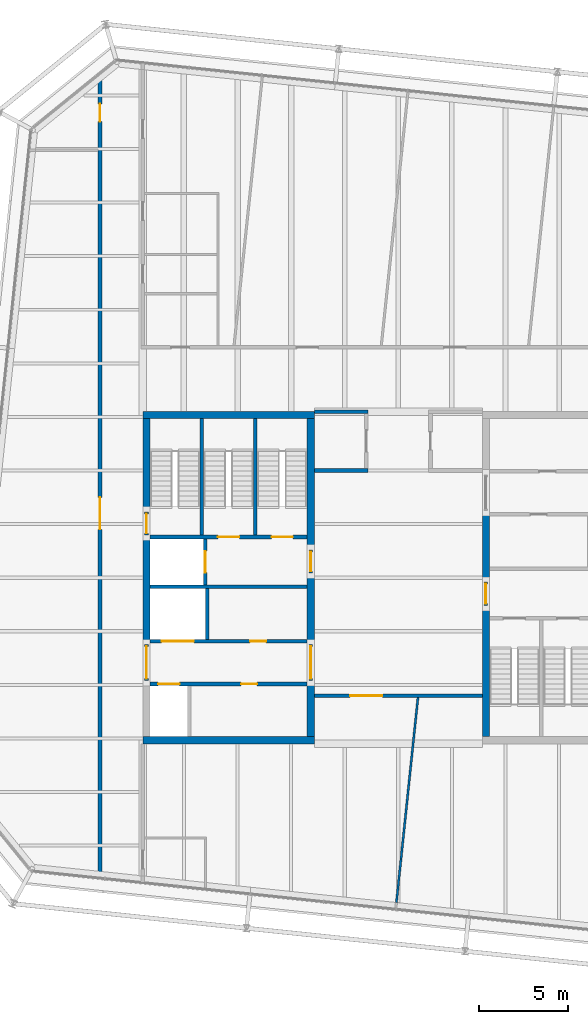
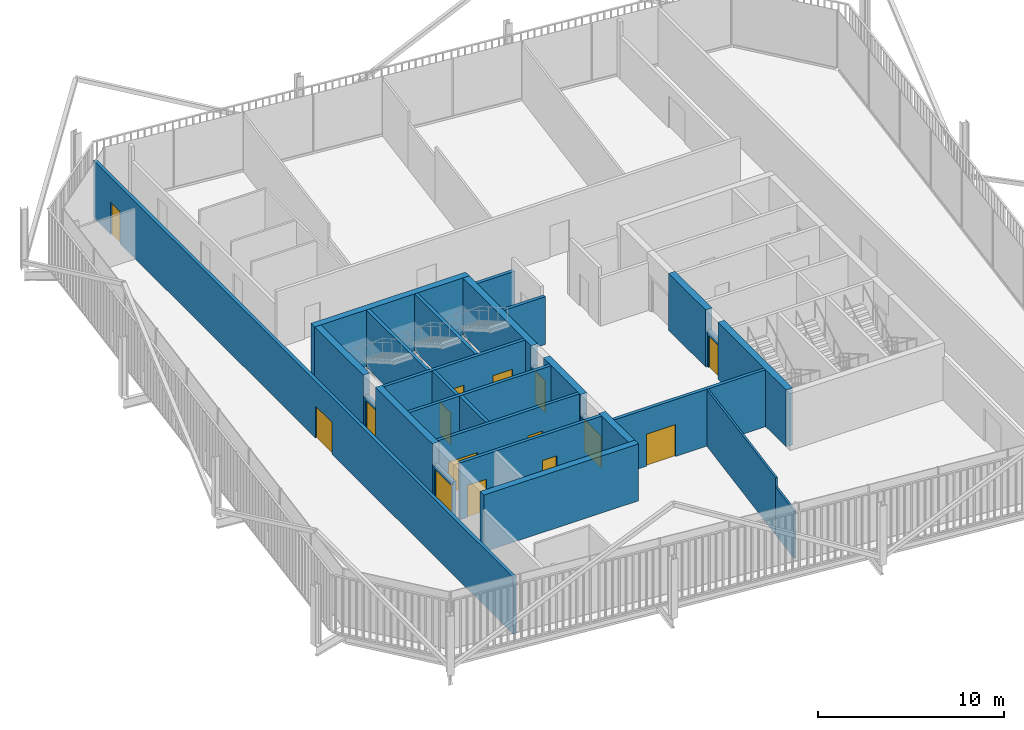
# One storey, part 17 of 21: 28 walls, 15 doors, 15 openings.
"""IFC4 building model written with IfcOpenShell, lengths in metres."""

from ifc_helpers import new_model, si_unit, direction, frame, frame_2d, origin, place, context, subcontext, project, spatial, rectangle, extrude, material, layer, layer_set, type_object, element, fill, save


model = new_model("IFC4")

# Units and contexts
model_context = context("Model", 3, precision=1e-05, world=origin(), true_north=direction((0.0, 1.0)))
body_context = subcontext(model_context, "Body", "Model", "MODEL_VIEW")
ifc_project = project(units=[si_unit("LENGTHUNIT", "METRE"), si_unit("AREAUNIT", "SQUARE_METRE"), si_unit("VOLUMEUNIT", "CUBIC_METRE"), si_unit("PLANEANGLEUNIT", "RADIAN"), si_unit("MASSUNIT", "GRAM", prefix="KILO")], contexts=[model_context])

# Site, building, storey
site_placement = place(None, origin())
site = spatial("IfcSite", under=ifc_project, at=site_placement, CompositionType="ELEMENT")
building_placement = place(site_placement, origin())
building = spatial("IfcBuilding", under=site, at=building_placement, Name="Millrace Tower", CompositionType="ELEMENT")
storey_placement = place(building_placement, frame((0.0, 0.0, 334.300048828125)))
storey = spatial("IfcBuildingStorey", under=building, at=storey_placement, Name="L77", CompositionType="ELEMENT", Elevation=334.300048828125)

# Walls
ifc_material_1 = material(Name="Concrete C60", Category="concrete")
ifc_layer_1 = layer(ifc_material_1, 0.39990234375)
ifc_layer_set_1 = layer_set([ifc_layer_1], Name="Concrete C60")
wall_type_1 = type_object("IfcWallType", Name="Core wall 400 Concrete C60", PredefinedType="SHEAR", material=ifc_layer_set_1)
for number, where, z_axis, x_axis, name in (
    (1, (-14.300048828125, -9.10009765625, 0.0), (0.0, 0.0, 1.0), (1.0, 0.0, 0.0), "Core wall W L77"),
    (2, (-14.300048828125, 9.10009765625, 0.0), (0.0, 0.0, 1.0), (1.0, 0.0, 0.0), "Core wall W L77"),
):
    element("IfcWall", number, at=place(storey_placement, frame(where, z_axis=z_axis, x_axis=x_axis)), inside=storey, type_object=wall_type_1, Name=name, PredefinedType="SHEAR", context=body_context, shape_type="SweptSolid", body=[
        extrude(rectangle(XDim=9.60009765625, YDim=0.39990234375, at=frame_2d((4.800048828125, 0.0))), origin(), (0.0, 0.0, 1.0), 3.739990234375),
    ])
wall_1_placement = place(storey_placement, frame((-14.10009765625, -3.75, 0.0), z_axis=(0.0, 0.0, 1.0), x_axis=(0.0, 1.0, 0.0)))
element("IfcWall", 3, at=wall_1_placement, inside=storey, type_object=wall_type_1, Name="Core wall W L77", PredefinedType="SHEAR", context=body_context, shape_type="SweptSolid", body=[
    extrude(rectangle(XDim=6.1298828125, YDim=0.39990234375, at=frame_2d((3.06494140625, 0.0))), origin(), (0.0, 0.0, 1.0), 3.739990234375),
])
wall_2_placement = place(storey_placement, frame((-14.10009765625, 3.679931640625, 0.0), z_axis=(0.0, 0.0, 1.0), x_axis=(0.0, 1.0, 0.0)))
element("IfcWall", 4, at=wall_2_placement, inside=storey, type_object=wall_type_1, Name="Core wall W L77", PredefinedType="SHEAR", context=body_context, shape_type="SweptSolid", body=[
    extrude(rectangle(XDim=5.219970703125, YDim=0.39990234375, at=frame_2d((2.60986328125, 0.0))), origin(), (0.0, 0.0, 1.0), 3.739990234375),
])
wall_3_placement = place(storey_placement, frame((-4.89990234375, -8.89990234375, 0.0), z_axis=(0.0, 0.0, 1.0), x_axis=(0.0, 1.0, 0.0)))
element("IfcWall", 5, at=wall_3_placement, inside=storey, type_object=wall_type_1, Name="Core wall W L77", PredefinedType="SHEAR", context=body_context, shape_type="SweptSolid", body=[
    extrude(rectangle(XDim=3.14990234375, YDim=0.39990234375, at=frame_2d((1.574951171875, 0.0))), origin(), (0.0, 0.0, 1.0), 3.739990234375),
])
wall_4_placement = place(storey_placement, frame((-4.89990234375, -3.75, 0.0), z_axis=(0.0, 0.0, 1.0), x_axis=(0.0, 1.0, 0.0)))
element("IfcWall", 6, at=wall_4_placement, inside=storey, type_object=wall_type_1, Name="Core wall W L77", PredefinedType="SHEAR", context=body_context, shape_type="SweptSolid", body=[
    extrude(rectangle(XDim=4.0, YDim=0.39990234375, at=frame_2d((2.0, 0.0))), origin(), (0.0, 0.0, 1.0), 3.739990234375),
])
wall_5_placement = place(storey_placement, frame((-4.89990234375, 1.550048828125, 0.0), z_axis=(0.0, 0.0, 1.0), x_axis=(0.0, 1.0, 0.0)))
element("IfcWall", 7, at=wall_5_placement, inside=storey, type_object=wall_type_1, Name="Core wall W L77", PredefinedType="SHEAR", context=body_context, shape_type="SweptSolid", body=[
    extrude(rectangle(XDim=7.349853515625, YDim=0.39990234375, at=frame_2d((3.6748046875, 0.0))), origin(), (0.0, 0.0, 1.0), 3.739990234375),
])
wall_6_placement = place(storey_placement, frame((4.89990234375, 3.75, 0.0), z_axis=(0.0, 0.0, 1.0), x_axis=(0.0, -1.0, 0.0)))
element("IfcWall", 8, at=wall_6_placement, inside=storey, type_object=wall_type_1, Name="Core wall E L77", PredefinedType="SHEAR", context=body_context, shape_type="SweptSolid", body=[
    extrude(rectangle(XDim=4.0, YDim=0.39990234375, at=frame_2d((2.0, 0.0))), origin(), (0.0, 0.0, 1.0), 3.739990234375),
])
wall_7_placement = place(storey_placement, frame((4.89990234375, -1.550048828125, 0.0), z_axis=(0.0, 0.0, 1.0), x_axis=(0.0, -1.0, 0.0)))
element("IfcWall", 9, at=wall_7_placement, inside=storey, type_object=wall_type_1, Name="Core wall E L77", PredefinedType="SHEAR", context=body_context, shape_type="SweptSolid", body=[
    extrude(rectangle(XDim=7.349853515625, YDim=0.39990234375, at=frame_2d((3.6748046875, 0.0))), origin(), (0.0, 0.0, 1.0), 3.739990234375),
])

# Wall, opening, door
ifc_material_2 = material(Name="Masonry partition, fire-rated", Category="masonry")
ifc_layer_2 = layer(ifc_material_2, 0.199951171875)
ifc_layer_set_2 = layer_set([ifc_layer_2], Name="Masonry partition, fire-rated")
wall_type_2 = type_object("IfcWallType", Name="Corridor wall 200", PredefinedType="PARTITIONING", material=ifc_layer_set_2)
wall_8_placement = place(storey_placement, frame((-4.699951171875, -6.60009765625, 0.0), z_axis=(0.0, 0.0, 1.0), x_axis=(1.0, 0.0, 0.0)))
wall_8 = element("IfcWall", 10, at=wall_8_placement, inside=storey, type_object=wall_type_2, Name="Corridor wall L77", PredefinedType="PARTITIONING", context=body_context, shape_type="SweptSolid", body=[
    extrude(rectangle(XDim=9.39990234375, YDim=0.199951171875, at=frame_2d((4.699951171875, 0.0))), origin(), (0.0, 0.0, 1.0), 3.739990234375),
])
opening_1_placement = place(wall_8_placement, frame((2.0048828125, 0.0, 0.0)))
opening_1 = element("IfcOpeningElement", 11, at=opening_1_placement, cuts=wall_8, Name="Opening 77-P013", PredefinedType="OPENING", context=body_context, shape_type="SweptSolid", body=[
    extrude(rectangle(XDim=1.800048828125, YDim=2.10009765625, at=frame_2d((0.89990234375, 1.050048828125))), frame((0.0, 0.10986328125, 0.0), z_axis=(0.0, -1.0, 0.0), x_axis=(1.0, 0.0, 0.0)), (0.0, 0.0, 1.0), 0.219970703125),
])
ifc_material_3 = material(Name="Steel door set, fire-rated", Category="steel")
door_type_1 = type_object("IfcDoorType", Name="Corridor door 1800 x 2100", OperationType="DOUBLE_DOOR_SINGLE_SWING", PredefinedType="DOOR", material=ifc_material_3)
door_1_placement = place(opening_1_placement, frame((1.800048828125, 0.0, 0.0), z_axis=(0.0, 0.0, 1.0), x_axis=(-1.0, 0.0, 0.0)))
door_1 = element("IfcDoor", 12, at=door_1_placement, inside=storey, type_object=door_type_1, Name="Door 77-P013", OperationType="DOUBLE_DOOR_SINGLE_SWING", OverallHeight=2.10009765625, OverallWidth=1.800048828125, PredefinedType="DOOR", context=body_context, shape_type="SweptSolid", body=[
    extrude(rectangle(XDim=1.800048828125, YDim=2.10009765625, at=frame_2d((0.89990234375, 1.050048828125))), frame((0.0, 0.02490234375, 0.0), z_axis=(0.0, -1.0, 0.0), x_axis=(1.0, 0.0, 0.0)), (0.0, 0.0, 1.0), 0.050048828125),
])
fill(opening_1, door_1)

# Walls
wall_9_placement = place(storey_placement, frame((-4.699951171875, 6.0, 0.0), z_axis=(0.0, 0.0, 1.0), x_axis=(1.0, 0.0, 0.0)))
element("IfcWall", 13, at=wall_9_placement, inside=storey, type_object=wall_type_2, Name="Corridor wall L77", PredefinedType="PARTITIONING", context=body_context, shape_type="SweptSolid", body=[
    extrude(rectangle(XDim=3.0, YDim=0.199951171875, at=frame_2d((1.5, 0.0))), origin(), (0.0, 0.0, 1.0), 3.140625),
])
wall_10_placement = place(storey_placement, frame((-4.699951171875, 9.300048828125, 0.0), z_axis=(0.0, 0.0, 1.0), x_axis=(1.0, 0.0, 0.0)))
element("IfcWall", 14, at=wall_10_placement, inside=storey, type_object=wall_type_2, Name="Corridor wall L77", PredefinedType="PARTITIONING", context=body_context, shape_type="SweptSolid", body=[
    extrude(rectangle(XDim=3.0, YDim=0.199951171875, at=frame_2d((1.5, 0.0))), origin(), (0.0, 0.0, 1.0), 2.812744140625),
])

# Wall, openings, doors
wall_11_placement = place(storey_placement, frame((-16.699951171875, -16.779296875, 0.0), z_axis=(0.0, 0.0, 1.0), x_axis=(0.0, 1.0, 0.0)))
wall_11 = element("IfcWall", 15, at=wall_11_placement, inside=storey, type_object=wall_type_2, Name="Corridor wall L77", PredefinedType="PARTITIONING", context=body_context, shape_type="SweptSolid", body=[
    extrude(rectangle(XDim=45.16943359375, YDim=0.199951171875, at=frame_2d((22.584716796875, 0.0))), origin(), (0.0, 0.0, 1.0), 3.739990234375),
])
opening_2_placement = place(wall_11_placement, frame((19.477783203125, 0.0, 0.0)))
opening_2 = element("IfcOpeningElement", 16, at=opening_2_placement, cuts=wall_11, Name="Opening 77-P003", PredefinedType="OPENING", context=body_context, shape_type="SweptSolid", body=[
    extrude(rectangle(XDim=1.800048828125, YDim=2.10009765625, at=frame_2d((0.89990234375, 1.050048828125))), frame((0.0, 0.10986328125, 0.0), z_axis=(0.0, -1.0, 0.0), x_axis=(1.0, 0.0, 0.0)), (0.0, 0.0, 1.0), 0.219970703125),
])
opening_3_placement = place(wall_11_placement, frame((42.30517578125, 0.0, 0.0)))
opening_3 = element("IfcOpeningElement", 17, at=opening_3_placement, cuts=wall_11, Name="Opening 77-P004", PredefinedType="OPENING", context=body_context, shape_type="SweptSolid", body=[
    extrude(rectangle(XDim=1.0, YDim=2.10009765625, at=frame_2d((0.5, 1.050048828125))), frame((0.0, 0.10986328125, 0.0), z_axis=(0.0, -1.0, 0.0), x_axis=(1.0, 0.0, 0.0)), (0.0, 0.0, 1.0), 0.219970703125),
])
ifc_material_4 = material(Name="Steel door set, fire-rated", Category="steel")
door_type_2 = type_object("IfcDoorType", Name="Corridor door 1000 x 2100", OperationType="SINGLE_SWING_LEFT", PredefinedType="DOOR", material=ifc_material_4)
door_2_placement = place(opening_3_placement, origin())
door_2 = element("IfcDoor", 18, at=door_2_placement, inside=storey, type_object=door_type_2, Name="Door 77-P004", OperationType="SINGLE_SWING_RIGHT", OverallHeight=2.10009765625, OverallWidth=1.0, PredefinedType="DOOR", context=body_context, shape_type="SweptSolid", body=[
    extrude(rectangle(XDim=1.0, YDim=2.10009765625, at=frame_2d((0.5, 1.050048828125))), frame((0.0, 0.02490234375, 0.0), z_axis=(0.0, -1.0, 0.0), x_axis=(1.0, 0.0, 0.0)), (0.0, 0.0, 1.0), 0.050048828125),
])
fill(opening_3, door_2)
door_3_placement = place(opening_2_placement, frame((1.800048828125, 0.0, 0.0), z_axis=(0.0, 0.0, 1.0), x_axis=(-1.0, 0.0, 0.0)))
door_3 = element("IfcDoor", 19, at=door_3_placement, inside=storey, type_object=door_type_1, Name="Door 77-P003", OperationType="DOUBLE_DOOR_SINGLE_SWING", OverallHeight=2.10009765625, OverallWidth=1.800048828125, PredefinedType="DOOR", context=body_context, shape_type="SweptSolid", body=[
    extrude(rectangle(XDim=1.800048828125, YDim=2.10009765625, at=frame_2d((0.89990234375, 1.050048828125))), frame((0.0, 0.02490234375, 0.0), z_axis=(0.0, -1.0, 0.0), x_axis=(1.0, 0.0, 0.0)), (0.0, 0.0, 1.0), 0.050048828125),
])
fill(opening_2, door_3)

ifc_material_5 = material(Name="Masonry partition, fire-rated", Category="masonry")
ifc_layer_3 = layer(ifc_material_5, 0.199951171875)
ifc_layer_set_3 = layer_set([ifc_layer_3], Name="Masonry partition, fire-rated")
wall_type_3 = type_object("IfcWallType", Name="Lift shaft wall 200", PredefinedType="PARTITIONING", material=ifc_layer_set_3)
wall_12_placement = place(storey_placement, frame((-13.89990234375, -5.949951171875, 0.0), z_axis=(0.0, 0.0, 1.0), x_axis=(1.0, 0.0, 0.0)))
wall_12 = element("IfcWall", 20, at=wall_12_placement, inside=storey, type_object=wall_type_3, Name="Lift shaft wall W L77", PredefinedType="PARTITIONING", context=body_context, shape_type="SweptSolid", body=[
    extrude(rectangle(XDim=8.7998046875, YDim=0.199951171875, at=frame_2d((4.39990234375, 0.0))), origin(), (0.0, 0.0, 1.0), 3.739990234375),
])
opening_4_placement = place(wall_12_placement, frame((0.449951171875, 0.0, 0.0)))
opening_4 = element("IfcOpeningElement", 21, at=opening_4_placement, cuts=wall_12, Name="Opening 77-LD01", PredefinedType="OPENING", context=body_context, shape_type="SweptSolid", body=[
    extrude(rectangle(XDim=1.199951171875, YDim=2.10009765625, at=frame_2d((0.60009765625, 1.050048828125))), frame((0.0, 0.10986328125, 0.0), z_axis=(0.0, -1.0, 0.0), x_axis=(1.0, 0.0, 0.0)), (0.0, 0.0, 1.0), 0.219970703125),
])
opening_5_placement = place(wall_12_placement, frame((5.10009765625, 0.0, 0.0)))
opening_5 = element("IfcOpeningElement", 22, at=opening_5_placement, cuts=wall_12, Name="Opening 77-C005", PredefinedType="OPENING", context=body_context, shape_type="SweptSolid", body=[
    extrude(rectangle(XDim=0.89990234375, YDim=2.10009765625, at=frame_2d((0.449951171875, 1.050048828125))), frame((0.0, 0.10986328125, 0.0), z_axis=(0.0, -1.0, 0.0), x_axis=(1.0, 0.0, 0.0)), (0.0, 0.0, 1.0), 0.219970703125),
])
ifc_material_6 = material(Name="Stainless steel, fire-rated", Category="steel")
door_type_3 = type_object("IfcDoorType", Name="Lift landing door 1200 x 2100", OperationType="DOUBLE_DOOR_SLIDING", PredefinedType="DOOR", material=ifc_material_6)
door_4_placement = place(opening_4_placement, origin())
door_4 = element("IfcDoor", 23, at=door_4_placement, inside=storey, type_object=door_type_3, Name="Lift landing door LF1 L77", OperationType="DOUBLE_DOOR_SLIDING", OverallHeight=2.10009765625, OverallWidth=1.199951171875, PredefinedType="DOOR", context=body_context, shape_type="SweptSolid", body=[
    extrude(rectangle(XDim=1.199951171875, YDim=2.10009765625, at=frame_2d((0.60009765625, 1.050048828125))), frame((0.0, 0.02490234375, 0.0), z_axis=(0.0, -1.0, 0.0), x_axis=(1.0, 0.0, 0.0)), (0.0, 0.0, 1.0), 0.050048828125),
])
fill(opening_4, door_4)
ifc_material_7 = material(Name="Steel door, fire-rated", Category="steel")
door_type_4 = type_object("IfcDoorType", Name="Service room door 900 x 2100", OperationType="SINGLE_SWING_LEFT", PredefinedType="DOOR", material=ifc_material_7)
door_5_placement = place(opening_5_placement, frame((0.89990234375, 0.0, 0.0), z_axis=(0.0, 0.0, 1.0), x_axis=(-1.0, 0.0, 0.0)))
door_5 = element("IfcDoor", 24, at=door_5_placement, inside=storey, type_object=door_type_4, Name="Service room door 77-C005", OperationType="SINGLE_SWING_LEFT", OverallHeight=2.10009765625, OverallWidth=0.89990234375, PredefinedType="DOOR", context=body_context, shape_type="SweptSolid", body=[
    extrude(rectangle(XDim=0.89990234375, YDim=2.10009765625, at=frame_2d((0.449951171875, 1.050048828125))), frame((0.0, 0.02490234375, 0.0), z_axis=(0.0, -1.0, 0.0), x_axis=(1.0, 0.0, 0.0)), (0.0, 0.0, 1.0), 0.050048828125),
])
fill(opening_5, door_5)

wall_13_placement = place(storey_placement, frame((-13.89990234375, -3.550048828125, 0.0), z_axis=(0.0, 0.0, 1.0), x_axis=(1.0, 0.0, 0.0)))
wall_13 = element("IfcWall", 25, at=wall_13_placement, inside=storey, type_object=wall_type_3, Name="Lift shaft wall W L77", PredefinedType="PARTITIONING", context=body_context, shape_type="SweptSolid", body=[
    extrude(rectangle(XDim=8.7998046875, YDim=0.199951171875, at=frame_2d((4.39990234375, 0.0))), origin(), (0.0, 0.0, 1.0), 3.739990234375),
])
opening_6_placement = place(wall_13_placement, frame((0.64990234375, 0.0, 0.0)))
opening_6 = element("IfcOpeningElement", 26, at=opening_6_placement, cuts=wall_13, Name="Opening 77-LD05", PredefinedType="OPENING", context=body_context, shape_type="SweptSolid", body=[
    extrude(rectangle(XDim=1.800048828125, YDim=2.10009765625, at=frame_2d((0.89990234375, 1.050048828125))), frame((0.0, 0.10986328125, 0.0), z_axis=(0.0, -1.0, 0.0), x_axis=(1.0, 0.0, 0.0)), (0.0, 0.0, 1.0), 0.219970703125),
])
opening_7_placement = place(wall_13_placement, frame((5.60009765625, 0.0, 0.0)))
opening_7 = element("IfcOpeningElement", 27, at=opening_7_placement, cuts=wall_13, Name="Opening 77-C006", PredefinedType="OPENING", context=body_context, shape_type="SweptSolid", body=[
    extrude(rectangle(XDim=0.89990234375, YDim=2.10009765625, at=frame_2d((0.449951171875, 1.050048828125))), frame((0.0, 0.10986328125, 0.0), z_axis=(0.0, -1.0, 0.0), x_axis=(1.0, 0.0, 0.0)), (0.0, 0.0, 1.0), 0.219970703125),
])
ifc_material_8 = material(Name="Stainless steel, fire-rated", Category="steel")
door_type_5 = type_object("IfcDoorType", Name="Lift landing door 1800 x 2100", OperationType="DOUBLE_DOOR_SLIDING", PredefinedType="DOOR", material=ifc_material_8)
door_6_placement = place(opening_6_placement, origin())
door_6 = element("IfcDoor", 28, at=door_6_placement, inside=storey, type_object=door_type_5, Name="Lift landing door LF5 L77", OperationType="DOUBLE_DOOR_SLIDING", OverallHeight=2.10009765625, OverallWidth=1.800048828125, PredefinedType="DOOR", context=body_context, shape_type="SweptSolid", body=[
    extrude(rectangle(XDim=1.800048828125, YDim=2.10009765625, at=frame_2d((0.89990234375, 1.050048828125))), frame((0.0, 0.02490234375, 0.0), z_axis=(0.0, -1.0, 0.0), x_axis=(1.0, 0.0, 0.0)), (0.0, 0.0, 1.0), 0.050048828125),
])
fill(opening_6, door_6)
door_7_placement = place(opening_7_placement, origin())
door_7 = element("IfcDoor", 29, at=door_7_placement, inside=storey, type_object=door_type_4, Name="Service room door 77-C006", OperationType="SINGLE_SWING_RIGHT", OverallHeight=2.10009765625, OverallWidth=0.89990234375, PredefinedType="DOOR", context=body_context, shape_type="SweptSolid", body=[
    extrude(rectangle(XDim=0.89990234375, YDim=2.10009765625, at=frame_2d((0.449951171875, 1.050048828125))), frame((0.0, 0.02490234375, 0.0), z_axis=(0.0, -1.0, 0.0), x_axis=(1.0, 0.0, 0.0)), (0.0, 0.0, 1.0), 0.050048828125),
])
fill(opening_7, door_7)

# Wall
wall_14_placement = place(storey_placement, frame((-13.89990234375, -0.5, 0.0), z_axis=(0.0, 0.0, 1.0), x_axis=(1.0, 0.0, 0.0)))
element("IfcWall", 30, at=wall_14_placement, inside=storey, type_object=wall_type_3, Name="Lift shaft wall W L77", PredefinedType="PARTITIONING", context=body_context, shape_type="SweptSolid", body=[
    extrude(rectangle(XDim=8.7998046875, YDim=0.199951171875, at=frame_2d((4.39990234375, 0.0))), origin(), (0.0, 0.0, 1.0), 3.739990234375),
])

# Wall, opening, door
wall_15_placement = place(storey_placement, frame((-10.800048828125, -0.39990234375, 0.0), z_axis=(0.0, 0.0, 1.0), x_axis=(0.0, 1.0, 0.0)))
wall_15 = element("IfcWall", 31, at=wall_15_placement, inside=storey, type_object=wall_type_3, Name="Lift shaft wall W L77", PredefinedType="PARTITIONING", context=body_context, shape_type="SweptSolid", body=[
    extrude(rectangle(XDim=2.579833984375, YDim=0.199951171875, at=frame_2d((1.2900390625, 0.0))), origin(), (0.0, 0.0, 1.0), 3.739990234375),
])
opening_8_placement = place(wall_15_placement, frame((0.68994140625, 0.0, 0.0)))
opening_8 = element("IfcOpeningElement", 32, at=opening_8_placement, cuts=wall_15, Name="Opening 77-LD08", PredefinedType="OPENING", context=body_context, shape_type="SweptSolid", body=[
    extrude(rectangle(XDim=1.199951171875, YDim=2.10009765625, at=frame_2d((0.60009765625, 1.050048828125))), frame((0.0, 0.10986328125, 0.0), z_axis=(0.0, -1.0, 0.0), x_axis=(1.0, 0.0, 0.0)), (0.0, 0.0, 1.0), 0.219970703125),
])
door_8_placement = place(opening_8_placement, origin())
door_8 = element("IfcDoor", 33, at=door_8_placement, inside=storey, type_object=door_type_3, Name="Lift landing door LF8 L77", OperationType="DOUBLE_DOOR_SLIDING", OverallHeight=2.10009765625, OverallWidth=1.199951171875, PredefinedType="DOOR", context=body_context, shape_type="SweptSolid", body=[
    extrude(rectangle(XDim=1.199951171875, YDim=2.10009765625, at=frame_2d((0.60009765625, 1.050048828125))), frame((0.0, 0.02490234375, 0.0), z_axis=(0.0, -1.0, 0.0), x_axis=(1.0, 0.0, 0.0)), (0.0, 0.0, 1.0), 0.050048828125),
])
fill(opening_8, door_8)

# Wall
wall_16_placement = place(storey_placement, frame((-10.699951171875, -3.449951171875, 0.0), z_axis=(0.0, 0.0, 1.0), x_axis=(0.0, 1.0, 0.0)))
element("IfcWall", 34, at=wall_16_placement, inside=storey, type_object=wall_type_3, Name="Lift shaft wall W L77", PredefinedType="PARTITIONING", context=body_context, shape_type="SweptSolid", body=[
    extrude(rectangle(XDim=2.849853515625, YDim=0.199951171875, at=frame_2d((1.4248046875, 0.0))), origin(), (0.0, 0.0, 1.0), 3.739990234375),
])

# Wall, opening, door
ifc_material_9 = material(Name="Masonry partition, fire-rated", Category="masonry")
ifc_layer_4 = layer(ifc_material_9, 0.199951171875)
ifc_layer_set_4 = layer_set([ifc_layer_4], Name="Masonry partition, fire-rated")
wall_type_4 = type_object("IfcWallType", Name="Lobby wall 200", PredefinedType="PARTITIONING", material=ifc_layer_set_4)
wall_17_placement = place(storey_placement, frame((-14.10009765625, -5.75, 0.0), z_axis=(0.0, 0.0, 1.0), x_axis=(0.0, 1.0, 0.0)))
wall_17 = element("IfcWall", 35, at=wall_17_placement, inside=storey, type_object=wall_type_4, Name="Lobby wall W L77", PredefinedType="PARTITIONING", context=body_context, shape_type="SweptSolid", body=[
    extrude(rectangle(XDim=2.0, YDim=0.199951171875, at=frame_2d((1.0, 0.0))), origin(), (0.0, 0.0, 1.0), 2.39990234375),
])
opening_9_placement = place(wall_17_placement, frame((0.10009765625, 0.0, 0.0)))
opening_9 = element("IfcOpeningElement", 36, at=opening_9_placement, cuts=wall_17, Name="Opening 77-C001", PredefinedType="OPENING", context=body_context, shape_type="SweptSolid", body=[
    extrude(rectangle(XDim=1.800048828125, YDim=2.10009765625, at=frame_2d((0.89990234375, 1.050048828125))), frame((0.0, 0.10986328125, 0.0), z_axis=(0.0, -1.0, 0.0), x_axis=(1.0, 0.0, 0.0)), (0.0, 0.0, 1.0), 0.219970703125),
])
ifc_material_10 = material(Name="Steel door, fire-rated", Category="steel")
door_type_6 = type_object("IfcDoorType", Name="Lobby door 1800 x 2100", OperationType="DOUBLE_DOOR_SINGLE_SWING", PredefinedType="DOOR", material=ifc_material_10)
door_9_placement = place(opening_9_placement, origin())
door_9 = element("IfcDoor", 37, at=door_9_placement, inside=storey, type_object=door_type_6, Name="Lobby door 77-C001", OperationType="DOUBLE_DOOR_SINGLE_SWING", OverallHeight=2.10009765625, OverallWidth=1.800048828125, PredefinedType="DOOR", context=body_context, shape_type="SweptSolid", body=[
    extrude(rectangle(XDim=1.800048828125, YDim=2.10009765625, at=frame_2d((0.89990234375, 1.050048828125))), frame((0.0, 0.02490234375, 0.0), z_axis=(0.0, -1.0, 0.0), x_axis=(1.0, 0.0, 0.0)), (0.0, 0.0, 1.0), 0.050048828125),
])
fill(opening_9, door_9)

wall_18_placement = place(storey_placement, frame((-4.89990234375, -5.75, 0.0), z_axis=(0.0, 0.0, 1.0), x_axis=(0.0, 1.0, 0.0)))
wall_18 = element("IfcWall", 38, at=wall_18_placement, inside=storey, type_object=wall_type_4, Name="Lobby wall W L77", PredefinedType="PARTITIONING", context=body_context, shape_type="SweptSolid", body=[
    extrude(rectangle(XDim=2.0, YDim=0.199951171875, at=frame_2d((1.0, 0.0))), origin(), (0.0, 0.0, 1.0), 2.39990234375),
])
opening_10_placement = place(wall_18_placement, frame((0.10009765625, 0.0, 0.0)))
opening_10 = element("IfcOpeningElement", 39, at=opening_10_placement, cuts=wall_18, Name="Opening 77-C003", PredefinedType="OPENING", context=body_context, shape_type="SweptSolid", body=[
    extrude(rectangle(XDim=1.800048828125, YDim=2.10009765625, at=frame_2d((0.89990234375, 1.050048828125))), frame((0.0, 0.10986328125, 0.0), z_axis=(0.0, -1.0, 0.0), x_axis=(1.0, 0.0, 0.0)), (0.0, 0.0, 1.0), 0.219970703125),
])
door_10_placement = place(opening_10_placement, frame((1.800048828125, 0.0, 0.0), z_axis=(0.0, 0.0, 1.0), x_axis=(-1.0, 0.0, 0.0)))
door_10 = element("IfcDoor", 40, at=door_10_placement, inside=storey, type_object=door_type_6, Name="Lobby door 77-C003", OperationType="DOUBLE_DOOR_SINGLE_SWING", OverallHeight=2.10009765625, OverallWidth=1.800048828125, PredefinedType="DOOR", context=body_context, shape_type="SweptSolid", body=[
    extrude(rectangle(XDim=1.800048828125, YDim=2.10009765625, at=frame_2d((0.89990234375, 1.050048828125))), frame((0.0, 0.02490234375, 0.0), z_axis=(0.0, -1.0, 0.0), x_axis=(1.0, 0.0, 0.0)), (0.0, 0.0, 1.0), 0.050048828125),
])
fill(opening_10, door_10)

wall_19_placement = place(storey_placement, frame((-4.89990234375, 0.25, 0.0), z_axis=(0.0, 0.0, 1.0), x_axis=(0.0, 1.0, 0.0)))
wall_19 = element("IfcWall", 41, at=wall_19_placement, inside=storey, type_object=wall_type_4, Name="Lobby wall W L77", PredefinedType="PARTITIONING", context=body_context, shape_type="SweptSolid", body=[
    extrude(rectangle(XDim=1.300048828125, YDim=0.199951171875, at=frame_2d((0.64990234375, 0.0))), origin(), (0.0, 0.0, 1.0), 2.39990234375),
])
opening_11_placement = place(wall_19_placement, frame((0.10009765625, 0.0, 0.0)))
opening_11 = element("IfcOpeningElement", 42, at=opening_11_placement, cuts=wall_19, Name="Opening 77-C004", PredefinedType="OPENING", context=body_context, shape_type="SweptSolid", body=[
    extrude(rectangle(XDim=1.10009765625, YDim=2.10009765625, at=frame_2d((0.550048828125, 1.050048828125))), frame((0.0, 0.10986328125, 0.0), z_axis=(0.0, -1.0, 0.0), x_axis=(1.0, 0.0, 0.0)), (0.0, 0.0, 1.0), 0.219970703125),
])
ifc_material_11 = material(Name="Steel door, fire-rated", Category="steel")
door_type_7 = type_object("IfcDoorType", Name="Lobby door 1100 x 2100", OperationType="SINGLE_SWING_LEFT", PredefinedType="DOOR", material=ifc_material_11)
door_11_placement = place(opening_11_placement, frame((1.10009765625, 0.0, 0.0), z_axis=(0.0, 0.0, 1.0), x_axis=(-1.0, 0.0, 0.0)))
door_11 = element("IfcDoor", 43, at=door_11_placement, inside=storey, type_object=door_type_7, Name="Lobby door 77-C004", OperationType="SINGLE_SWING_LEFT", OverallHeight=2.10009765625, OverallWidth=1.10009765625, PredefinedType="DOOR", context=body_context, shape_type="SweptSolid", body=[
    extrude(rectangle(XDim=1.10009765625, YDim=2.10009765625, at=frame_2d((0.550048828125, 1.050048828125))), frame((0.0, 0.02490234375, 0.0), z_axis=(0.0, -1.0, 0.0), x_axis=(1.0, 0.0, 0.0)), (0.0, 0.0, 1.0), 0.050048828125),
])
fill(opening_11, door_11)

wall_20_placement = place(storey_placement, frame((4.89990234375, -0.25, 0.0), z_axis=(0.0, 0.0, 1.0), x_axis=(0.0, -1.0, 0.0)))
wall_20 = element("IfcWall", 44, at=wall_20_placement, inside=storey, type_object=wall_type_4, Name="Lobby wall E L77", PredefinedType="PARTITIONING", context=body_context, shape_type="SweptSolid", body=[
    extrude(rectangle(XDim=1.300048828125, YDim=0.199951171875, at=frame_2d((0.64990234375, 0.0))), origin(), (0.0, 0.0, 1.0), 2.39990234375),
])
opening_12_placement = place(wall_20_placement, frame((0.10009765625, 0.0, 0.0)))
opening_12 = element("IfcOpeningElement", 45, at=opening_12_placement, cuts=wall_20, Name="Opening 77-C012", PredefinedType="OPENING", context=body_context, shape_type="SweptSolid", body=[
    extrude(rectangle(XDim=1.10009765625, YDim=2.10009765625, at=frame_2d((0.550048828125, 1.050048828125))), frame((0.0, 0.10986328125, 0.0), z_axis=(0.0, -1.0, 0.0), x_axis=(1.0, 0.0, 0.0)), (0.0, 0.0, 1.0), 0.219970703125),
])
door_12_placement = place(opening_12_placement, frame((1.10009765625, 0.0, 0.0), z_axis=(0.0, 0.0, 1.0), x_axis=(-1.0, 0.0, 0.0)))
door_12 = element("IfcDoor", 46, at=door_12_placement, inside=storey, type_object=door_type_7, Name="Lobby door 77-C012", OperationType="SINGLE_SWING_RIGHT", OverallHeight=2.10009765625, OverallWidth=1.10009765625, PredefinedType="DOOR", context=body_context, shape_type="SweptSolid", body=[
    extrude(rectangle(XDim=1.10009765625, YDim=2.10009765625, at=frame_2d((0.550048828125, 1.050048828125))), frame((0.0, 0.02490234375, 0.0), z_axis=(0.0, -1.0, 0.0), x_axis=(1.0, 0.0, 0.0)), (0.0, 0.0, 1.0), 0.050048828125),
])
fill(opening_12, door_12)

# Walls
ifc_material_12 = material(Name="Gypsum board partition")
ifc_layer_5 = layer(ifc_material_12, 0.1201171875)
ifc_layer_set_5 = layer_set([ifc_layer_5], Name="Gypsum board partition")
wall_type_5 = type_object("IfcWallType", Name="Partition wall 120", PredefinedType="PARTITIONING", material=ifc_layer_set_5)
wall_21_placement = place(storey_placement, frame((-0.10791015625, -18.193359375, 0.0), z_axis=(0.0, 0.0, 1.0), x_axis=(0.104462304408, 0.99452884672, 0.0)))
element("IfcWall", 47, at=wall_21_placement, inside=storey, type_object=wall_type_5, Name="Partition wall L77", PredefinedType="PARTITIONING", context=body_context, shape_type="SweptSolid", body=[
    extrude(rectangle(XDim=2.456298828125, YDim=0.1201171875, at=frame_2d((1.22802734375, 0.0))), origin(), (0.0, 0.0, 1.0), 3.140625),
])
wall_22_placement = place(storey_placement, frame((0.148681640625, -15.75048828125, 0.0), z_axis=(0.0, 0.0, 1.0), x_axis=(0.104487885815, 0.994526159393, 0.0)))
element("IfcWall", 48, at=wall_22_placement, inside=storey, type_object=wall_type_5, Name="Partition wall L77", PredefinedType="PARTITIONING", context=body_context, shape_type="SweptSolid", body=[
    extrude(rectangle(XDim=9.100830078125, YDim=0.1201171875, at=frame_2d((4.55029296875, 0.0))), origin(), (0.0, 0.0, 1.0), 3.739990234375),
])

# Wall, opening, door
ifc_material_13 = material(Name="Concrete C40", Category="concrete")
ifc_layer_6 = layer(ifc_material_13, 0.199951171875)
ifc_layer_set_6 = layer_set([ifc_layer_6], Name="Concrete C40")
wall_type_6 = type_object("IfcWallType", Name="Stair enclosure wall 200 Concrete C40", PredefinedType="SHEAR", material=ifc_layer_set_6)
wall_23_placement = place(storey_placement, frame((-14.10009765625, 2.3798828125, 0.0), z_axis=(0.0, 0.0, 1.0), x_axis=(0.0, 1.0, 0.0)))
wall_23 = element("IfcWall", 49, at=wall_23_placement, inside=storey, type_object=wall_type_6, Name="Stair enclosure wall W L77", PredefinedType="SHEAR", context=body_context, shape_type="SweptSolid", body=[
    extrude(rectangle(XDim=1.300048828125, YDim=0.199951171875, at=frame_2d((0.64990234375, 0.0))), origin(), (0.0, 0.0, 1.0), 2.39990234375),
])
opening_13_placement = place(wall_23_placement, frame((0.10009765625, 0.0, 0.0)))
opening_13 = element("IfcOpeningElement", 50, at=opening_13_placement, cuts=wall_23, Name="Opening 77-C002", PredefinedType="OPENING", context=body_context, shape_type="SweptSolid", body=[
    extrude(rectangle(XDim=1.10009765625, YDim=2.10009765625, at=frame_2d((0.550048828125, 1.050048828125))), frame((0.0, 0.10986328125, 0.0), z_axis=(0.0, -1.0, 0.0), x_axis=(1.0, 0.0, 0.0)), (0.0, 0.0, 1.0), 0.219970703125),
])
ifc_material_14 = material(Name="Steel door, fire-rated", Category="steel")
door_type_8 = type_object("IfcDoorType", Name="Stair door 1100 x 2100", OperationType="SINGLE_SWING_LEFT", PredefinedType="DOOR", material=ifc_material_14)
door_13_placement = place(opening_13_placement, origin())
door_13 = element("IfcDoor", 51, at=door_13_placement, inside=storey, type_object=door_type_8, Name="Stair door 77-C002", OperationType="SINGLE_SWING_RIGHT", OverallHeight=2.10009765625, OverallWidth=1.10009765625, PredefinedType="DOOR", context=body_context, shape_type="SweptSolid", body=[
    extrude(rectangle(XDim=1.10009765625, YDim=2.10009765625, at=frame_2d((0.550048828125, 1.050048828125))), frame((0.0, 0.02490234375, 0.0), z_axis=(0.0, -1.0, 0.0), x_axis=(1.0, 0.0, 0.0)), (0.0, 0.0, 1.0), 0.050048828125),
])
fill(opening_13, door_13)

# Wall, openings, doors
wall_24_placement = place(storey_placement, frame((-13.89990234375, 2.280029296875, 0.0), z_axis=(0.0, 0.0, 1.0), x_axis=(1.0, 0.0, 0.0)))
wall_24 = element("IfcWall", 52, at=wall_24_placement, inside=storey, type_object=wall_type_6, Name="Stair enclosure wall W L77", PredefinedType="SHEAR", context=body_context, shape_type="SweptSolid", body=[
    extrude(rectangle(XDim=8.7998046875, YDim=0.199951171875, at=frame_2d((4.39990234375, 0.0))), origin(), (0.0, 0.0, 1.0), 3.739990234375),
])
opening_14_placement = place(wall_24_placement, frame((3.800048828125, 0.0, 0.0)))
opening_14 = element("IfcOpeningElement", 53, at=opening_14_placement, cuts=wall_24, Name="Opening 77-C007", PredefinedType="OPENING", context=body_context, shape_type="SweptSolid", body=[
    extrude(rectangle(XDim=1.199951171875, YDim=2.10009765625, at=frame_2d((0.60009765625, 1.050048828125))), frame((0.0, 0.10986328125, 0.0), z_axis=(0.0, -1.0, 0.0), x_axis=(1.0, 0.0, 0.0)), (0.0, 0.0, 1.0), 0.219970703125),
])
opening_15_placement = place(wall_24_placement, frame((6.800048828125, 0.0, 0.0)))
opening_15 = element("IfcOpeningElement", 54, at=opening_15_placement, cuts=wall_24, Name="Opening 77-C008", PredefinedType="OPENING", context=body_context, shape_type="SweptSolid", body=[
    extrude(rectangle(XDim=1.199951171875, YDim=2.10009765625, at=frame_2d((0.60009765625, 1.050048828125))), frame((0.0, 0.10986328125, 0.0), z_axis=(0.0, -1.0, 0.0), x_axis=(1.0, 0.0, 0.0)), (0.0, 0.0, 1.0), 0.219970703125),
])
ifc_material_15 = material(Name="Steel door, fire-rated", Category="steel")
door_type_9 = type_object("IfcDoorType", Name="Stair door 1200 x 2100", OperationType="SINGLE_SWING_LEFT", PredefinedType="DOOR", material=ifc_material_15)
door_14_placement = place(opening_14_placement, frame((1.199951171875, 0.0, 0.0), z_axis=(0.0, 0.0, 1.0), x_axis=(-1.0, 0.0, 0.0)))
door_14 = element("IfcDoor", 55, at=door_14_placement, inside=storey, type_object=door_type_9, Name="Stair door 77-C007", OperationType="SINGLE_SWING_LEFT", OverallHeight=2.10009765625, OverallWidth=1.199951171875, PredefinedType="DOOR", context=body_context, shape_type="SweptSolid", body=[
    extrude(rectangle(XDim=1.199951171875, YDim=2.10009765625, at=frame_2d((0.60009765625, 1.050048828125))), frame((0.0, 0.02490234375, 0.0), z_axis=(0.0, -1.0, 0.0), x_axis=(1.0, 0.0, 0.0)), (0.0, 0.0, 1.0), 0.050048828125),
])
fill(opening_14, door_14)
door_15_placement = place(opening_15_placement, frame((1.199951171875, 0.0, 0.0), z_axis=(0.0, 0.0, 1.0), x_axis=(-1.0, 0.0, 0.0)))
door_15 = element("IfcDoor", 56, at=door_15_placement, inside=storey, type_object=door_type_9, Name="Stair door 77-C008", OperationType="SINGLE_SWING_LEFT", OverallHeight=2.10009765625, OverallWidth=1.199951171875, PredefinedType="DOOR", context=body_context, shape_type="SweptSolid", body=[
    extrude(rectangle(XDim=1.199951171875, YDim=2.10009765625, at=frame_2d((0.60009765625, 1.050048828125))), frame((0.0, 0.02490234375, 0.0), z_axis=(0.0, -1.0, 0.0), x_axis=(1.0, 0.0, 0.0)), (0.0, 0.0, 1.0), 0.050048828125),
])
fill(opening_15, door_15)

# Walls
for number, where, z_axis, x_axis, name in (
    (57, (-11.0, 2.3798828125, 0.0), (0.0, 0.0, 1.0), (0.0, 1.0, 0.0), "Stair enclosure wall W L77"),
    (58, (-8.0, 2.3798828125, 0.0), (0.0, 0.0, 1.0), (0.0, 1.0, 0.0), "Stair enclosure wall W L77"),
):
    element("IfcWall", number, at=place(storey_placement, frame(where, z_axis=z_axis, x_axis=x_axis)), inside=storey, type_object=wall_type_6, Name=name, PredefinedType="SHEAR", context=body_context, shape_type="SweptSolid", body=[
        extrude(rectangle(XDim=6.52001953125, YDim=0.199951171875, at=frame_2d((3.260009765625, 0.0))), origin(), (0.0, 0.0, 1.0), 3.739990234375),
    ])

save(model, "model.ifc")
